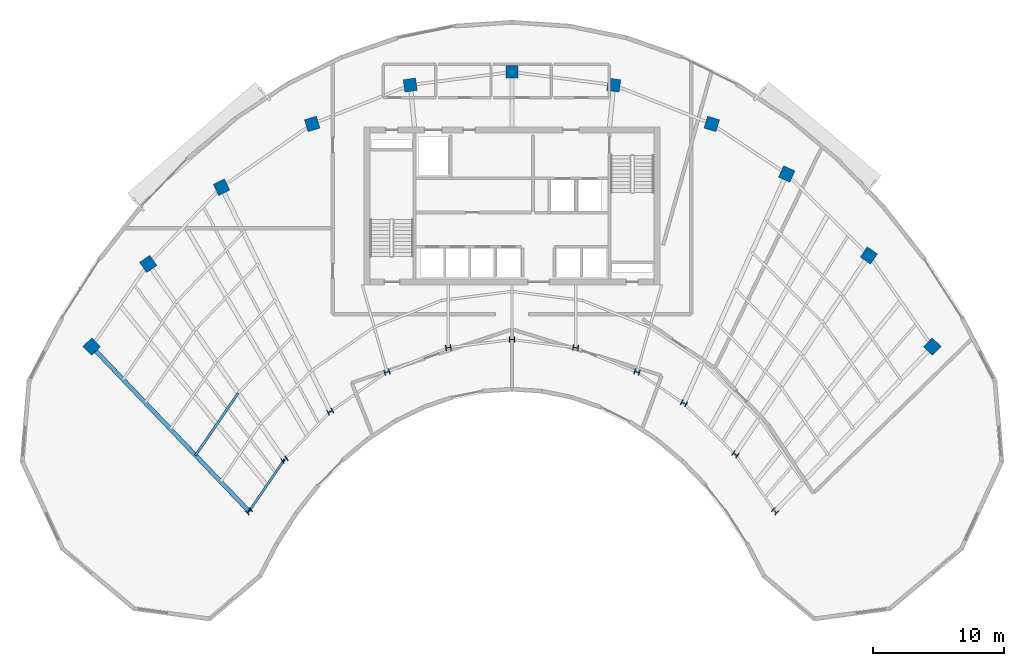
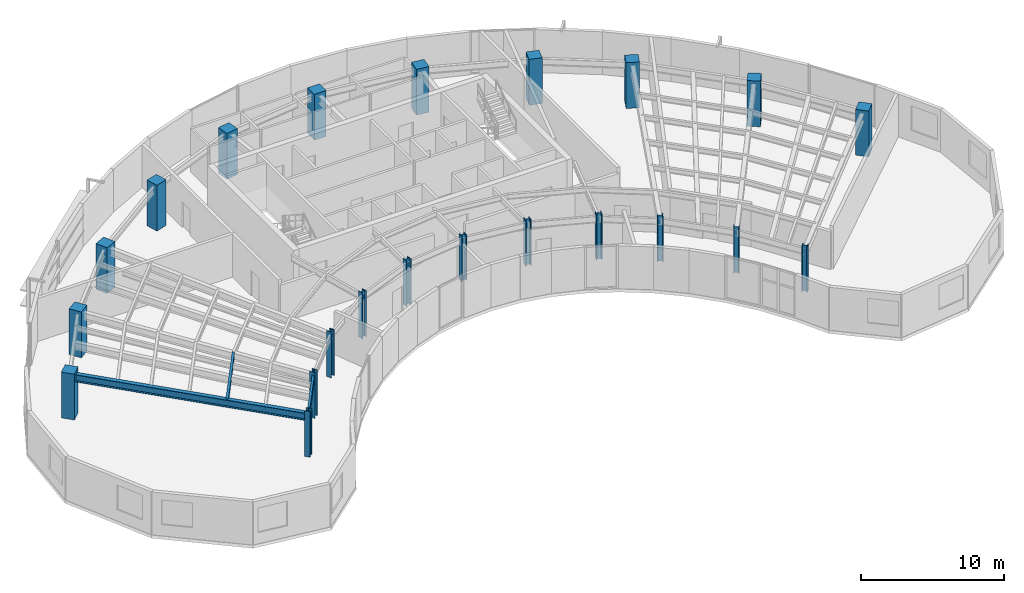
# One storey, part 1 of 13: 22 columns, 3 beams.
"""IFC4 building model written with IfcOpenShell, lengths in metres."""

from ifc_helpers import new_model, si_unit, direction, frame, origin, origin_2d, place, context, subcontext, project, spatial, rectangle, i_section, extrude, source, transform, mapped, material, material_profile, profile_set, type_object, type_shapes, element, save


model = new_model("IFC4")

# Units and contexts
model_context = context("Model", 3, precision=1e-05, world=origin(), true_north=direction((0.0, 1.0)))
body_context = subcontext(model_context, "Body", "Model", "MODEL_VIEW")
ifc_project = project(units=[si_unit("LENGTHUNIT", "METRE"), si_unit("AREAUNIT", "SQUARE_METRE"), si_unit("VOLUMEUNIT", "CUBIC_METRE"), si_unit("PLANEANGLEUNIT", "RADIAN"), si_unit("MASSUNIT", "GRAM", prefix="KILO")], contexts=[model_context])

# Site, building, storey
site_placement = place(None, origin())
site = spatial("IfcSite", under=ifc_project, at=site_placement, CompositionType="ELEMENT")
building_placement = place(site_placement, origin())
building = spatial("IfcBuilding", under=site, at=building_placement, Name="Breltana Convention Tower", CompositionType="ELEMENT")
storey_placement = place(building_placement, frame((0.0, 0.0, 227.39990234375)))
storey = spatial("IfcBuildingStorey", under=building, at=storey_placement, Name="L55", CompositionType="ELEMENT", Elevation=227.39990234375)

# Columns
ifc_material_1 = material(Name="Steel ASTM A992 Grade 50", Category="steel")
ifc_material_profile_1 = material_profile(ifc_material_1, i_section(OverallWidth=0.406005859375, OverallDepth=0.416015625, WebThickness=0.02978515625, FlangeThickness=0.048095703125, at=origin_2d()), Name="W14X257")
ifc_profile_set_1 = profile_set([ifc_material_profile_1], Name="Steel ASTM A992 Grade 50")
column_type_1 = type_object("IfcColumnType", Name="COL-STL-W14X257", PredefinedType="COLUMN", material=ifc_profile_set_1)
shared_shape_1 = source(origin(), body_context, "Body", "SweptSolid", [
    extrude(i_section(OverallWidth=0.406005859375, OverallDepth=0.416015625, WebThickness=0.02978515625, FlangeThickness=0.048095703125, at=origin_2d()), origin(), (0.0, 0.0, 1.0), 3.900146484375),
])
for number, where, z_axis, x_axis, name in (
    (1, (27.984619140625, 42.95458984375, 0.0), (0.0, 0.0, 1.0), (-0.690756218984, 0.723087716626, 0.0), "L55 Tower Column R01-IN"),
    (2, (30.67724609375, 46.892333984375, 0.0), (0.0, 0.0, 1.0), (-0.571143442153, 0.820850271661, 0.0), "L55 Tower Column R02-IN"),
    (3, (34.166259765625, 50.544921875, 0.0), (0.0, 0.0, 1.0), (-0.436173672171, 0.899862504889, 0.0), "L55 Tower Column R03-IN"),
    (4, (38.485107421875, 53.5576171875, 0.0), (0.0, 0.0, 1.0), (-0.288697611798, 0.957420330337, 0.0), "L55 Tower Column R04-IN"),
    (5, (43.153564453125, 55.41064453125, 0.0), (0.0, 0.0, 1.0), (-0.143492621991, 0.98965138682, 0.0), "L55 Tower Column R05-IN"),
    (6, (48.0, 56.035888671875, 0.0), (0.0, 0.0, 1.0), (0.0, 1.0, 0.0), "L55 Tower Column R06-IN"),
    (7, (52.846435546875, 55.41064453125, 0.0), (0.0, 0.0, 1.0), (0.143492621991, 0.98965138682, 0.0), "L55 Tower Column R07-IN"),
    (8, (57.514892578125, 53.5576171875, 0.0), (0.0, 0.0, 1.0), (0.288697611798, 0.957420330337, 0.0), "L55 Tower Column R08-IN"),
    (9, (61.08203125, 51.174560546875, 0.0), (0.0, 0.0, 1.0), (0.409126902895, 0.912477494148, 0.0), "L55 Tower Column R09-IN"),
    (10, (64.995849609375, 47.293701171875, 0.0), (0.0, 0.0, 1.0), (0.55774510898, 0.830012285095, 0.0), "L55 Tower Column R10-IN"),
    (11, (68.015380859375, 42.95458984375, 0.0), (0.0, 0.0, 1.0), (0.690756218984, 0.723087716626, 0.0), "L55 Tower Column R11-IN"),
):
    element("IfcColumn", number, at=place(storey_placement, frame(where, z_axis=z_axis, x_axis=x_axis)), inside=storey, type_object=column_type_1, Name=name, PredefinedType="COLUMN", context=body_context, shape_type="MappedRepresentation", body=[
        mapped(shared_shape_1, transform((0.0, 0.0, 0.0), scale=1.0)),
    ])
ifc_material_2 = material(Name="Concrete C50/60", Category="concrete")
ifc_material_profile_2 = material_profile(ifc_material_2, rectangle(XDim=0.949951171875, YDim=0.949951171875, at=origin_2d()), Name="RC-COL-950X950")
ifc_profile_set_2 = profile_set([ifc_material_profile_2], Name="Concrete C50/60")
column_type_2 = type_object("IfcColumnType", Name="COL-RC-950", PredefinedType="COLUMN", material=ifc_profile_set_2)
shared_shape_2 = source(origin(), body_context, "Body", "SweptSolid", [
    extrude(rectangle(XDim=0.949951171875, YDim=0.949951171875, at=origin_2d()), origin(), (0.0, 0.0, 1.0), 3.900146484375),
])
for number, where, z_axis, x_axis, name in (
    (12, (16.0068359375, 55.494384765625, 0.0), (0.0, 0.0, 1.0), (-0.690756218984, 0.723087716626, 0.0), "L55 Tower Column R01-OUT"),
    (13, (20.310791015625, 61.78857421875, 0.0), (0.0, 0.0, 1.0), (-0.571143442153, 0.820850271661, 0.0), "L55 Tower Column R02-OUT"),
    (14, (25.8876953125, 67.626953125, 0.0), (0.0, 0.0, 1.0), (-0.436173672171, 0.899862504889, 0.0), "L55 Tower Column R03-OUT"),
    (15, (32.791015625, 72.4423828125, 0.0), (0.0, 0.0, 1.0), (-0.288697611798, 0.957420330337, 0.0), "L55 Tower Column R04-OUT"),
    (16, (40.253173828125, 75.404296875, 0.0), (0.0, 0.0, 1.0), (-0.143492621991, 0.98965138682, 0.0), "L55 Tower Column R05-OUT"),
    (17, (48.0, 76.404052734375, 0.0), (0.0, 0.0, 1.0), (0.0, 1.0, 0.0), "L55 Tower Column R06-OUT"),
    (18, (55.746826171875, 75.404296875, 0.0), (0.0, 0.0, 1.0), (0.143492621991, 0.98965138682, 0.0), "L55 Tower Column R07-OUT"),
    (19, (63.208984375, 72.4423828125, 0.0), (0.0, 0.0, 1.0), (0.288697611798, 0.957420330337, 0.0), "L55 Tower Column R08-OUT"),
    (20, (68.910400390625, 68.63330078125, 0.0), (0.0, 0.0, 1.0), (0.409126902895, 0.912477494148, 0.0), "L55 Tower Column R09-OUT"),
    (21, (75.166748046875, 62.43017578125, 0.0), (0.0, 0.0, 1.0), (0.55774510898, 0.830012285095, 0.0), "L55 Tower Column R10-OUT"),
    (22, (79.9931640625, 55.494384765625, 0.0), (0.0, 0.0, 1.0), (0.690756218984, 0.723087716626, 0.0), "L55 Tower Column R11-OUT"),
):
    element("IfcColumn", number, at=place(storey_placement, frame(where, z_axis=z_axis, x_axis=x_axis)), inside=storey, type_object=column_type_2, Name=name, PredefinedType="COLUMN", context=body_context, shape_type="MappedRepresentation", body=[
        mapped(shared_shape_2, transform((0.0, 0.0, 0.0), scale=1.0)),
    ])

# Beams
ifc_material_profile_3 = material_profile(ifc_material_1, i_section(OverallWidth=0.166015625, OverallDepth=0.534912109375, WebThickness=0.01025390625, FlangeThickness=0.0166015625, at=origin_2d()), Name="W21X57")
ifc_profile_set_3 = profile_set([ifc_material_profile_3], Name="Steel ASTM A992 Grade 50")
beam_type_1 = type_object("IfcBeamType", Name="BM-BM-W21X57", PredefinedType="BEAM", material=ifc_profile_set_3)
shared_shape_3 = source(origin(), body_context, "Body", "SweptSolid", [
    extrude(i_section(OverallWidth=0.166015625, OverallDepth=0.534912109375, WebThickness=0.01025390625, FlangeThickness=0.0166015625, at=origin_2d()), origin(), (0.0, 0.0, 1.0), 4.770263671875),
])
beam_1_placement = place(storey_placement, frame((27.984619140625, 42.95458984375, 3.382568359375), z_axis=(0.564452719055, 0.82546540082, 0.0), x_axis=(-0.82546540082, 0.564452719055, 0.0)))
element("IfcBeam", 23, at=beam_1_placement, inside=storey, type_object=beam_type_1, Name="L55 Inner Ring Beam 01", PredefinedType="BEAM", context=body_context, shape_type="MappedRepresentation", body=[
    mapped(shared_shape_3, transform((0.0, 0.0, 0.0), scale=1.0)),
])
ifc_material_profile_4 = material_profile(ifc_material_1, i_section(OverallWidth=0.326904296875, OverallDepth=0.6220703125, WebThickness=0.015380859375, FlangeThickness=0.0244140625, at=origin_2d()), Name="W24X131")
ifc_profile_set_4 = profile_set([ifc_material_profile_4], Name="Steel ASTM A992 Grade 50")
beam_type_2 = type_object("IfcBeamType", Name="BM-RG-W24X131", PredefinedType="USERDEFINED", material=ifc_profile_set_4)
shared_shape_4 = source(origin(), body_context, "Body", "SweptSolid", [
    extrude(i_section(OverallWidth=0.326904296875, OverallDepth=0.6220703125, WebThickness=0.015380859375, FlangeThickness=0.0244140625, at=origin_2d()), origin(), (0.0, 0.0, 1.0), 17.341064453125),
])
type_shapes(beam_type_2, [shared_shape_4])
beam_2_placement = place(storey_placement, frame((27.984619140625, 42.95458984375, 3.339111328125), z_axis=(-0.690716462293, 0.723125693581, 0.0), x_axis=(-0.723125693581, -0.690716462293, 0.0)))
element("IfcBeam", 24, at=beam_2_placement, inside=storey, type_object=beam_type_2, Name="L55 Radial Floor Girder R01", ObjectType="GIRDER", PredefinedType="USERDEFINED", context=body_context, shape_type="MappedRepresentation", body=[
    mapped(shared_shape_4, transform((0.0, 0.0, 0.0), scale=1.0)),
])
ifc_material_profile_5 = material_profile(ifc_material_1, i_section(OverallWidth=0.179931640625, OverallDepth=0.4130859375, WebThickness=0.009765625, FlangeThickness=0.01611328125, at=origin_2d()), Name="W16X50")
ifc_profile_set_5 = profile_set([ifc_material_profile_5], Name="Steel ASTM A992 Grade 50")
beam_type_3 = type_object("IfcBeamType", Name="BM-JSG-08", PredefinedType="JOIST", material=ifc_profile_set_5)
shared_shape_5 = source(origin(), body_context, "Body", "SweptSolid", [
    extrude(i_section(OverallWidth=0.179931640625, OverallDepth=0.4130859375, WebThickness=0.009765625, FlangeThickness=0.01611328125, at=origin_2d()), origin(), (0.0, 0.0, 1.0), 5.74072265625),
])
beam_3_placement = place(storey_placement, frame((23.912109375, 47.21826171875, 3.443603515625), z_axis=(0.5644658829, 0.825456399238, 0.0), x_axis=(-0.825456399238, 0.5644658829, 0.0)))
element("IfcBeam", 25, at=beam_3_placement, inside=storey, type_object=beam_type_3, Name="L55 Composite Floor Joist 01.2", PredefinedType="JOIST", context=body_context, shape_type="MappedRepresentation", body=[
    mapped(shared_shape_5, transform((0.0, 0.0, 0.0), scale=1.0)),
])

save(model, "model.ifc")
